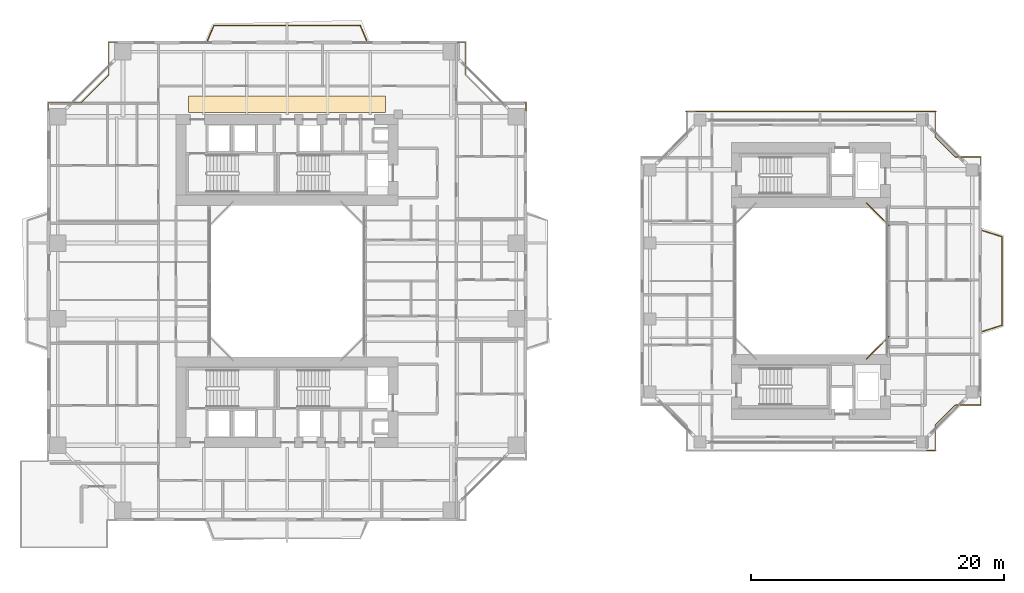
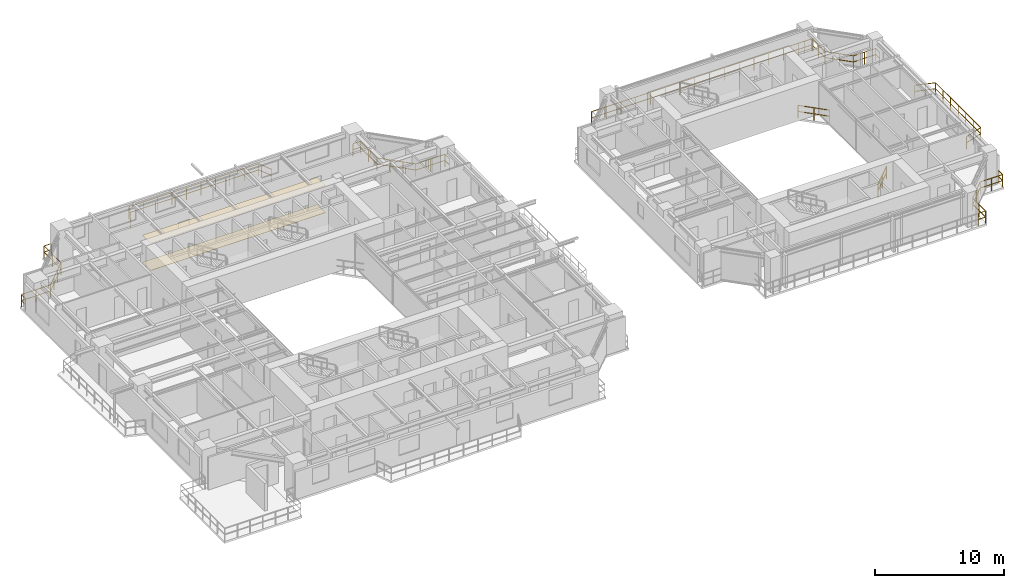
# One storey, part 22 of 22: 9 railings, 2 coverings.
"""IFC4 building model written with IfcOpenShell, lengths in metres."""

from ifc_helpers import new_model, si_unit, direction, frame, origin, origin_2d, place, context, subcontext, project, spatial, polyline, rectangle, outline, extrude, material, layer, layer_set, type_object, element, save


model = new_model("IFC4")

# Units and contexts
model_context = context("Model", 3, precision=1e-05, world=origin(), true_north=direction((0.0, 1.0)))
body_context = subcontext(model_context, "Body", "Model", "MODEL_VIEW")
ifc_project = project(units=[si_unit("LENGTHUNIT", "METRE"), si_unit("AREAUNIT", "SQUARE_METRE"), si_unit("VOLUMEUNIT", "CUBIC_METRE"), si_unit("PLANEANGLEUNIT", "RADIAN"), si_unit("MASSUNIT", "GRAM", prefix="KILO"), si_unit("THERMODYNAMICTEMPERATUREUNIT", "KELVIN"), si_unit("POWERUNIT", "WATT")], contexts=[model_context])

# Site, building, storey
site_placement = place(None, origin())
site = spatial("IfcSite", under=ifc_project, at=site_placement, CompositionType="ELEMENT")
building_placement = place(site_placement, origin())
building = spatial("IfcBuilding", under=site, at=building_placement, Name="Qiaomeng Ring Towers", CompositionType="ELEMENT")
storey_placement = place(building_placement, frame((0.0, 0.0, 53.5)))
storey = spatial("IfcBuildingStorey", under=building, at=storey_placement, Name="L14", CompositionType="ELEMENT", Elevation=53.5)

# Coverings
ifc_material_1 = material(Name="Mineral fibre acoustic ceiling tile", Category="gypsum")
ifc_layer_1 = layer(ifc_material_1, 0.02490234375, Name="Mineral fibre acoustic ceiling tile")
ifc_layer_set_1 = layer_set([ifc_layer_1], Name="Mineral fibre acoustic ceiling tile")
covering_type_1 = type_object("IfcCoveringType", Name="ARC-COV-CEIL1", PredefinedType="CEILING", material=ifc_layer_set_1)
covering_1_placement = place(storey_placement, frame((0.0, 0.0, 2.550048828125)))
element("IfcCovering", 1, at=covering_1_placement, inside=storey, type_object=covering_type_1, Name="L14 Corridor Acoustic Ceiling", PredefinedType="CEILING", context=body_context, shape_type="SweptSolid", body=[
    extrude(outline(polyline([(11.199951171875, 36.35009765625), (11.199951171875, 37.64990234375), (26.800048828125, 37.64990234375), (26.800048828125, 36.35009765625), (11.199951171875, 36.35009765625)])), origin(), (0.0, 0.0, 1.0), 0.02490234375),
])
ifc_material_2 = material(Name="Vitrified porcelain floor tile", Category="ceramic")
ifc_layer_2 = layer(ifc_material_2, 0.02001953125, Name="Vitrified porcelain floor tile")
ifc_layer_set_2 = layer_set([ifc_layer_2], Name="Vitrified porcelain floor tile")
covering_type_2 = type_object("IfcCoveringType", Name="ARC-COV-FLR1", PredefinedType="FLOORING", material=ifc_layer_set_2)
covering_2_placement = place(storey_placement, origin())
element("IfcCovering", 2, at=covering_2_placement, inside=storey, type_object=covering_type_2, Name="L14 Corridor Stone Flooring", PredefinedType="FLOORING", context=body_context, shape_type="SweptSolid", body=[
    extrude(outline(polyline([(11.199951171875, 36.35009765625), (11.199951171875, 37.64990234375), (26.800048828125, 37.64990234375), (26.800048828125, 36.35009765625), (11.199951171875, 36.35009765625)])), origin(), (0.0, 0.0, 1.0), 0.02001953125),
])

# Railings
ifc_material_3 = material(Name="Low-E pale-green laminated safety glass", Category="glass")
railing_type = type_object("IfcRailingType", Name="ARC-RL-BAL1", PredefinedType="BALUSTRADE", material=ifc_material_3)
railing_1_placement = place(storey_placement, frame((37.919921875, 36.469970703125, 0.0)))
element("IfcRailing", 3, at=railing_1_placement, inside=storey, type_object=railing_type, Name="L14 Balustrade ARC-BAL-NOTCH1-L14-NE", PredefinedType="BALUSTRADE", context=body_context, shape_type="SweptSolid", body=[
    extrude(rectangle(XDim=0.048095703125, YDim=0.048095703125, at=origin_2d()), frame((0.0, 0.0, 1.17578125), z_axis=(0.0, 1.0, 0.0), x_axis=(-1.0, 0.0, 0.0)), (0.0, 0.0, 1.0), 0.650146484375),
    extrude(rectangle(XDim=0.048095703125, YDim=0.048095703125, at=origin_2d()), frame((0.0, 0.0, 0.60009765625), z_axis=(0.0, 1.0, 0.0), x_axis=(-1.0, 0.0, 0.0)), (0.0, 0.0, 1.0), 0.650146484375),
    extrude(rectangle(XDim=0.048095703125, YDim=0.048095703125, at=origin_2d()), frame((0.0, 0.650146484375, 1.17578125), z_axis=(-1.0, 0.0, 0.0), x_axis=(0.0, -1.0, 0.0)), (0.0, 0.0, 1.0), 2.599853515625),
    extrude(rectangle(XDim=0.048095703125, YDim=0.048095703125, at=origin_2d()), frame((0.0, 0.650146484375, 0.60009765625), z_axis=(-1.0, 0.0, 0.0), x_axis=(0.0, -1.0, 0.0)), (0.0, 0.0, 1.0), 2.599853515625),
    extrude(rectangle(XDim=0.048095703125, YDim=0.048095703125, at=origin_2d()), frame((-2.599853515625, 0.650146484375, 1.17578125), z_axis=(-0.707106781187, 0.707106781187, 0.0), x_axis=(-0.707106781187, -0.707106781187, 0.0)), (0.0, 0.0, 1.0), 3.111083984375),
    extrude(rectangle(XDim=0.048095703125, YDim=0.048095703125, at=origin_2d()), frame((-2.599853515625, 0.650146484375, 0.60009765625), z_axis=(-0.707106781187, 0.707106781187, 0.0), x_axis=(-0.707106781187, -0.707106781187, 0.0)), (0.0, 0.0, 1.0), 3.111083984375),
    extrude(rectangle(XDim=0.048095703125, YDim=0.048095703125, at=origin_2d()), frame((-4.7998046875, 2.85009765625, 1.17578125), z_axis=(0.0, 1.0, 0.0), x_axis=(-1.0, 0.0, 0.0)), (0.0, 0.0, 1.0), 2.599853515625),
    extrude(rectangle(XDim=0.048095703125, YDim=0.048095703125, at=origin_2d()), frame((-4.7998046875, 2.85009765625, 0.60009765625), z_axis=(0.0, 1.0, 0.0), x_axis=(-1.0, 0.0, 0.0)), (0.0, 0.0, 1.0), 2.599853515625),
    extrude(rectangle(XDim=0.048095703125, YDim=0.048095703125, at=origin_2d()), frame((-4.7998046875, 5.449951171875, 1.17578125), z_axis=(-1.0, 0.0, 0.0), x_axis=(0.0, -1.0, 0.0)), (0.0, 0.0, 1.0), 0.650146484375),
    extrude(rectangle(XDim=0.048095703125, YDim=0.048095703125, at=origin_2d()), frame((-4.7998046875, 5.449951171875, 0.60009765625), z_axis=(-1.0, 0.0, 0.0), x_axis=(0.0, -1.0, 0.0)), (0.0, 0.0, 1.0), 0.650146484375),
    extrude(rectangle(XDim=0.0419921875, YDim=0.0419921875, at=origin_2d()), origin(), (0.0, 0.0, 1.0), 1.15185546875),
    extrude(rectangle(XDim=0.0419921875, YDim=0.0419921875, at=origin_2d()), frame((0.0, 0.650146484375, 0.0)), (0.0, 0.0, 1.0), 1.15185546875),
    extrude(rectangle(XDim=0.0419921875, YDim=0.0419921875, at=origin_2d()), frame((-1.2998046875, 0.650146484375, 0.0)), (0.0, 0.0, 1.0), 1.15185546875),
    extrude(rectangle(XDim=0.0419921875, YDim=0.0419921875, at=origin_2d()), frame((-2.599853515625, 0.650146484375, 0.0)), (0.0, 0.0, 1.0), 1.15185546875),
    extrude(rectangle(XDim=0.0419921875, YDim=0.0419921875, at=origin_2d()), frame((-3.333251953125, 1.383544921875, 0.0)), (0.0, 0.0, 1.0), 1.15185546875),
    extrude(rectangle(XDim=0.0419921875, YDim=0.0419921875, at=origin_2d()), frame((-4.06640625, 2.11669921875, 0.0)), (0.0, 0.0, 1.0), 1.15185546875),
    extrude(rectangle(XDim=0.0419921875, YDim=0.0419921875, at=origin_2d()), frame((-4.7998046875, 2.85009765625, 0.0)), (0.0, 0.0, 1.0), 1.15185546875),
    extrude(rectangle(XDim=0.0419921875, YDim=0.0419921875, at=origin_2d()), frame((-4.7998046875, 4.14990234375, 0.0)), (0.0, 0.0, 1.0), 1.15185546875),
    extrude(rectangle(XDim=0.0419921875, YDim=0.0419921875, at=origin_2d()), frame((-4.7998046875, 5.449951171875, 0.0)), (0.0, 0.0, 1.0), 1.15185546875),
    extrude(rectangle(XDim=0.0419921875, YDim=0.0419921875, at=origin_2d()), frame((-5.449951171875, 5.449951171875, 0.0)), (0.0, 0.0, 1.0), 1.15185546875),
])
railing_2_placement = place(storey_placement, frame((5.530029296875, 41.919921875, 0.0)))
element("IfcRailing", 4, at=railing_2_placement, inside=storey, type_object=railing_type, Name="L14 Balustrade ARC-BAL-NOTCH1-L14-NW", PredefinedType="BALUSTRADE", context=body_context, shape_type="SweptSolid", body=[
    extrude(rectangle(XDim=0.048095703125, YDim=0.048095703125, at=origin_2d()), frame((0.0, 0.0, 1.17578125), z_axis=(-1.0, 0.0, 0.0), x_axis=(0.0, -1.0, 0.0)), (0.0, 0.0, 1.0), 0.650146484375),
    extrude(rectangle(XDim=0.048095703125, YDim=0.048095703125, at=origin_2d()), frame((0.0, 0.0, 0.60009765625), z_axis=(-1.0, 0.0, 0.0), x_axis=(0.0, -1.0, 0.0)), (0.0, 0.0, 1.0), 0.650146484375),
    extrude(rectangle(XDim=0.048095703125, YDim=0.048095703125, at=origin_2d()), frame((-0.650146484375, 0.0, 1.17578125), z_axis=(0.0, -1.0, 0.0), x_axis=(1.0, 0.0, 0.0)), (0.0, 0.0, 1.0), 2.599853515625),
    extrude(rectangle(XDim=0.048095703125, YDim=0.048095703125, at=origin_2d()), frame((-0.650146484375, 0.0, 0.60009765625), z_axis=(0.0, -1.0, 0.0), x_axis=(1.0, 0.0, 0.0)), (0.0, 0.0, 1.0), 2.599853515625),
    extrude(rectangle(XDim=0.048095703125, YDim=0.048095703125, at=origin_2d()), frame((-0.650146484375, -2.599853515625, 1.17578125), z_axis=(-0.707106781187, -0.707106781187, 0.0), x_axis=(0.707106781187, -0.707106781187, 0.0)), (0.0, 0.0, 1.0), 3.111083984375),
    extrude(rectangle(XDim=0.048095703125, YDim=0.048095703125, at=origin_2d()), frame((-0.650146484375, -2.599853515625, 0.60009765625), z_axis=(-0.707106781187, -0.707106781187, 0.0), x_axis=(0.707106781187, -0.707106781187, 0.0)), (0.0, 0.0, 1.0), 3.111083984375),
    extrude(rectangle(XDim=0.048095703125, YDim=0.048095703125, at=origin_2d()), frame((-2.85009765625, -4.7998046875, 1.17578125), z_axis=(-1.0, 0.0, 0.0), x_axis=(0.0, -1.0, 0.0)), (0.0, 0.0, 1.0), 2.599853515625),
    extrude(rectangle(XDim=0.048095703125, YDim=0.048095703125, at=origin_2d()), frame((-2.85009765625, -4.7998046875, 0.60009765625), z_axis=(-1.0, 0.0, 0.0), x_axis=(0.0, -1.0, 0.0)), (0.0, 0.0, 1.0), 2.599853515625),
    extrude(rectangle(XDim=0.048095703125, YDim=0.048095703125, at=origin_2d()), frame((-5.449951171875, -4.7998046875, 1.17578125), z_axis=(0.0, -1.0, 0.0), x_axis=(1.0, 0.0, 0.0)), (0.0, 0.0, 1.0), 0.650146484375),
    extrude(rectangle(XDim=0.048095703125, YDim=0.048095703125, at=origin_2d()), frame((-5.449951171875, -4.7998046875, 0.60009765625), z_axis=(0.0, -1.0, 0.0), x_axis=(1.0, 0.0, 0.0)), (0.0, 0.0, 1.0), 0.650146484375),
    extrude(rectangle(XDim=0.0419921875, YDim=0.0419921875, at=origin_2d()), origin(), (0.0, 0.0, 1.0), 1.15185546875),
    extrude(rectangle(XDim=0.0419921875, YDim=0.0419921875, at=origin_2d()), frame((-0.650146484375, 0.0, 0.0)), (0.0, 0.0, 1.0), 1.15185546875),
    extrude(rectangle(XDim=0.0419921875, YDim=0.0419921875, at=origin_2d()), frame((-0.650146484375, -1.2998046875, 0.0)), (0.0, 0.0, 1.0), 1.15185546875),
    extrude(rectangle(XDim=0.0419921875, YDim=0.0419921875, at=origin_2d()), frame((-0.650146484375, -2.599853515625, 0.0)), (0.0, 0.0, 1.0), 1.15185546875),
    extrude(rectangle(XDim=0.0419921875, YDim=0.0419921875, at=origin_2d()), frame((-1.383544921875, -3.333251953125, 0.0)), (0.0, 0.0, 1.0), 1.15185546875),
    extrude(rectangle(XDim=0.0419921875, YDim=0.0419921875, at=origin_2d()), frame((-2.11669921875, -4.06640625, 0.0)), (0.0, 0.0, 1.0), 1.15185546875),
    extrude(rectangle(XDim=0.0419921875, YDim=0.0419921875, at=origin_2d()), frame((-2.85009765625, -4.7998046875, 0.0)), (0.0, 0.0, 1.0), 1.15185546875),
    extrude(rectangle(XDim=0.0419921875, YDim=0.0419921875, at=origin_2d()), frame((-4.14990234375, -4.7998046875, 0.0)), (0.0, 0.0, 1.0), 1.15185546875),
    extrude(rectangle(XDim=0.0419921875, YDim=0.0419921875, at=origin_2d()), frame((-5.449951171875, -4.7998046875, 0.0)), (0.0, 0.0, 1.0), 1.15185546875),
    extrude(rectangle(XDim=0.0419921875, YDim=0.0419921875, at=origin_2d()), frame((-5.449951171875, -5.449951171875, 0.0)), (0.0, 0.0, 1.0), 1.15185546875),
])
railing_3_placement = place(storey_placement, frame((12.699951171875, 42.050048828125, 0.0)))
element("IfcRailing", 5, at=railing_3_placement, inside=storey, type_object=railing_type, Name="L14 Balustrade ARC-BAL-L14-T1-N", PredefinedType="BALUSTRADE", context=body_context, shape_type="SweptSolid", body=[
    extrude(rectangle(XDim=0.048095703125, YDim=0.048095703125, at=origin_2d()), frame((0.0, 0.0, 1.17578125), z_axis=(0.39299272826, 0.919541579014, 0.0), x_axis=(-0.919541579014, 0.39299272826, 0.0)), (0.0, 0.0, 1.0), 1.272216796875),
    extrude(rectangle(XDim=0.048095703125, YDim=0.048095703125, at=origin_2d()), frame((0.0, 0.0, 0.60009765625), z_axis=(0.39299272826, 0.919541579014, 0.0), x_axis=(-0.919541579014, 0.39299272826, 0.0)), (0.0, 0.0, 1.0), 1.272216796875),
    extrude(rectangle(XDim=0.048095703125, YDim=0.048095703125, at=origin_2d()), frame((0.5, 1.169921875, 1.17578125), z_axis=(1.0, 0.0, 0.0), x_axis=(0.0, 1.0, 0.0)), (0.0, 0.0, 1.0), 11.60009765625),
    extrude(rectangle(XDim=0.048095703125, YDim=0.048095703125, at=origin_2d()), frame((0.5, 1.169921875, 0.60009765625), z_axis=(1.0, 0.0, 0.0), x_axis=(0.0, 1.0, 0.0)), (0.0, 0.0, 1.0), 11.60009765625),
    extrude(rectangle(XDim=0.048095703125, YDim=0.048095703125, at=origin_2d()), frame((12.10009765625, 1.169921875, 1.17578125), z_axis=(0.39299272826, -0.919541579014, 0.0), x_axis=(0.919541579014, 0.39299272826, 0.0)), (0.0, 0.0, 1.0), 1.272216796875),
    extrude(rectangle(XDim=0.048095703125, YDim=0.048095703125, at=origin_2d()), frame((12.10009765625, 1.169921875, 0.60009765625), z_axis=(0.39299272826, -0.919541579014, 0.0), x_axis=(0.919541579014, 0.39299272826, 0.0)), (0.0, 0.0, 1.0), 1.272216796875),
    extrude(rectangle(XDim=0.0419921875, YDim=0.0419921875, at=origin_2d()), origin(), (0.0, 0.0, 1.0), 1.15185546875),
    extrude(rectangle(XDim=0.0419921875, YDim=0.0419921875, at=origin_2d()), frame((0.5, 1.169921875, 0.0)), (0.0, 0.0, 1.0), 1.15185546875),
    extrude(rectangle(XDim=0.0419921875, YDim=0.0419921875, at=origin_2d()), frame((1.788818359375, 1.169921875, 0.0)), (0.0, 0.0, 1.0), 1.15185546875),
    extrude(rectangle(XDim=0.0419921875, YDim=0.0419921875, at=origin_2d()), frame((3.077880859375, 1.169921875, 0.0)), (0.0, 0.0, 1.0), 1.15185546875),
    extrude(rectangle(XDim=0.0419921875, YDim=0.0419921875, at=origin_2d()), frame((4.36669921875, 1.169921875, 0.0)), (0.0, 0.0, 1.0), 1.15185546875),
    extrude(rectangle(XDim=0.0419921875, YDim=0.0419921875, at=origin_2d()), frame((5.655517578125, 1.169921875, 0.0)), (0.0, 0.0, 1.0), 1.15185546875),
    extrude(rectangle(XDim=0.0419921875, YDim=0.0419921875, at=origin_2d()), frame((6.944580078125, 1.169921875, 0.0)), (0.0, 0.0, 1.0), 1.15185546875),
    extrude(rectangle(XDim=0.0419921875, YDim=0.0419921875, at=origin_2d()), frame((8.2333984375, 1.169921875, 0.0)), (0.0, 0.0, 1.0), 1.15185546875),
    extrude(rectangle(XDim=0.0419921875, YDim=0.0419921875, at=origin_2d()), frame((9.522216796875, 1.169921875, 0.0)), (0.0, 0.0, 1.0), 1.15185546875),
    extrude(rectangle(XDim=0.0419921875, YDim=0.0419921875, at=origin_2d()), frame((10.811279296875, 1.169921875, 0.0)), (0.0, 0.0, 1.0), 1.15185546875),
    extrude(rectangle(XDim=0.0419921875, YDim=0.0419921875, at=origin_2d()), frame((12.10009765625, 1.169921875, 0.0)), (0.0, 0.0, 1.0), 1.15185546875),
    extrude(rectangle(XDim=0.0419921875, YDim=0.0419921875, at=origin_2d()), frame((12.60009765625, 0.0, 0.0)), (0.0, 0.0, 1.0), 1.15185546875),
])
railing_4_placement = place(storey_placement, frame((64.8798828125, 16.820068359375, 0.0)))
element("IfcRailing", 6, at=railing_4_placement, inside=storey, type_object=railing_type, Name="L14 Balustrade ARC-BAL-WELL2-L14-1", PredefinedType="BALUSTRADE", context=body_context, shape_type="SweptSolid", body=[
    extrude(rectangle(XDim=0.048095703125, YDim=0.048095703125, at=origin_2d()), frame((0.0, 0.0, 1.17578125), z_axis=(0.707106781187, 0.707106781187, 0.0), x_axis=(-0.707106781187, 0.707106781187, 0.0)), (0.0, 0.0, 1.0), 2.545654296875),
    extrude(rectangle(XDim=0.048095703125, YDim=0.048095703125, at=origin_2d()), frame((0.0, 0.0, 0.60009765625), z_axis=(0.707106781187, 0.707106781187, 0.0), x_axis=(-0.707106781187, 0.707106781187, 0.0)), (0.0, 0.0, 1.0), 2.545654296875),
    extrude(rectangle(XDim=0.0419921875, YDim=0.0419921875, at=origin_2d()), origin(), (0.0, 0.0, 1.0), 1.15185546875),
    extrude(rectangle(XDim=0.0419921875, YDim=0.0419921875, at=origin_2d()), frame((0.89990234375, 0.89990234375, 0.0)), (0.0, 0.0, 1.0), 1.15185546875),
    extrude(rectangle(XDim=0.0419921875, YDim=0.0419921875, at=origin_2d()), frame((1.800048828125, 1.800048828125, 0.0)), (0.0, 0.0, 1.0), 1.15185546875),
])
railing_5_placement = place(storey_placement, frame((66.679931640625, 27.3798828125, 0.0)))
element("IfcRailing", 7, at=railing_5_placement, inside=storey, type_object=railing_type, Name="L14 Balustrade ARC-BAL-WELL2-L14-2", PredefinedType="BALUSTRADE", context=body_context, shape_type="SweptSolid", body=[
    extrude(rectangle(XDim=0.048095703125, YDim=0.048095703125, at=origin_2d()), frame((0.0, 0.0, 1.17578125), z_axis=(-0.707106781187, 0.707106781187, 0.0), x_axis=(-0.707106781187, -0.707106781187, 0.0)), (0.0, 0.0, 1.0), 2.545654296875),
    extrude(rectangle(XDim=0.048095703125, YDim=0.048095703125, at=origin_2d()), frame((0.0, 0.0, 0.60009765625), z_axis=(-0.707106781187, 0.707106781187, 0.0), x_axis=(-0.707106781187, -0.707106781187, 0.0)), (0.0, 0.0, 1.0), 2.545654296875),
    extrude(rectangle(XDim=0.0419921875, YDim=0.0419921875, at=origin_2d()), origin(), (0.0, 0.0, 1.0), 1.15185546875),
    extrude(rectangle(XDim=0.0419921875, YDim=0.0419921875, at=origin_2d()), frame((-0.89990234375, 0.89990234375, 0.0)), (0.0, 0.0, 1.0), 1.15185546875),
    extrude(rectangle(XDim=0.0419921875, YDim=0.0419921875, at=origin_2d()), frame((-1.800048828125, 1.800048828125, 0.0)), (0.0, 0.0, 1.0), 1.15185546875),
])
railing_6_placement = place(storey_placement, frame((69.669921875, 9.580078125, 0.0)))
element("IfcRailing", 8, at=railing_6_placement, inside=storey, type_object=railing_type, Name="L14 Balustrade ARC-BAL-NOTCH2-L14-SE", PredefinedType="BALUSTRADE", context=body_context, shape_type="SweptSolid", body=[
    extrude(rectangle(XDim=0.048095703125, YDim=0.048095703125, at=origin_2d()), frame((0.0, 0.0, 1.17578125), z_axis=(1.0, 0.0, 0.0), x_axis=(0.0, 1.0, 0.0)), (0.0, 0.0, 1.0), 0.650146484375),
    extrude(rectangle(XDim=0.048095703125, YDim=0.048095703125, at=origin_2d()), frame((0.0, 0.0, 0.60009765625), z_axis=(1.0, 0.0, 0.0), x_axis=(0.0, 1.0, 0.0)), (0.0, 0.0, 1.0), 0.650146484375),
    extrude(rectangle(XDim=0.048095703125, YDim=0.048095703125, at=origin_2d()), frame((0.650146484375, 0.0, 1.17578125), z_axis=(0.0, 1.0, 0.0), x_axis=(-1.0, 0.0, 0.0)), (0.0, 0.0, 1.0), 2.0),
    extrude(rectangle(XDim=0.048095703125, YDim=0.048095703125, at=origin_2d()), frame((0.650146484375, 0.0, 0.60009765625), z_axis=(0.0, 1.0, 0.0), x_axis=(-1.0, 0.0, 0.0)), (0.0, 0.0, 1.0), 2.0),
    extrude(rectangle(XDim=0.048095703125, YDim=0.048095703125, at=origin_2d()), frame((0.650146484375, 2.0, 1.17578125), z_axis=(0.707106781187, 0.707106781187, 0.0), x_axis=(-0.707106781187, 0.707106781187, 0.0)), (0.0, 0.0, 1.0), 2.262451171875),
    extrude(rectangle(XDim=0.048095703125, YDim=0.048095703125, at=origin_2d()), frame((0.650146484375, 2.0, 0.60009765625), z_axis=(0.707106781187, 0.707106781187, 0.0), x_axis=(-0.707106781187, 0.707106781187, 0.0)), (0.0, 0.0, 1.0), 2.262451171875),
    extrude(rectangle(XDim=0.048095703125, YDim=0.048095703125, at=origin_2d()), frame((2.25, 3.599853515625, 1.17578125), z_axis=(1.0, 0.0, 0.0), x_axis=(0.0, 1.0, 0.0)), (0.0, 0.0, 1.0), 2.0),
    extrude(rectangle(XDim=0.048095703125, YDim=0.048095703125, at=origin_2d()), frame((2.25, 3.599853515625, 0.60009765625), z_axis=(1.0, 0.0, 0.0), x_axis=(0.0, 1.0, 0.0)), (0.0, 0.0, 1.0), 2.0),
    extrude(rectangle(XDim=0.048095703125, YDim=0.048095703125, at=origin_2d()), frame((4.25, 3.599853515625, 1.17578125), z_axis=(0.0, 1.0, 0.0), x_axis=(-1.0, 0.0, 0.0)), (0.0, 0.0, 1.0), 0.650146484375),
    extrude(rectangle(XDim=0.048095703125, YDim=0.048095703125, at=origin_2d()), frame((4.25, 3.599853515625, 0.60009765625), z_axis=(0.0, 1.0, 0.0), x_axis=(-1.0, 0.0, 0.0)), (0.0, 0.0, 1.0), 0.650146484375),
    extrude(rectangle(XDim=0.0419921875, YDim=0.0419921875, at=origin_2d()), origin(), (0.0, 0.0, 1.0), 1.15185546875),
    extrude(rectangle(XDim=0.0419921875, YDim=0.0419921875, at=origin_2d()), frame((0.650146484375, 0.0, 0.0)), (0.0, 0.0, 1.0), 1.15185546875),
    extrude(rectangle(XDim=0.0419921875, YDim=0.0419921875, at=origin_2d()), frame((0.650146484375, 1.0, 0.0)), (0.0, 0.0, 1.0), 1.15185546875),
    extrude(rectangle(XDim=0.0419921875, YDim=0.0419921875, at=origin_2d()), frame((0.650146484375, 2.0, 0.0)), (0.0, 0.0, 1.0), 1.15185546875),
    extrude(rectangle(XDim=0.0419921875, YDim=0.0419921875, at=origin_2d()), frame((1.4501953125, 2.7998046875, 0.0)), (0.0, 0.0, 1.0), 1.15185546875),
    extrude(rectangle(XDim=0.0419921875, YDim=0.0419921875, at=origin_2d()), frame((2.25, 3.599853515625, 0.0)), (0.0, 0.0, 1.0), 1.15185546875),
    extrude(rectangle(XDim=0.0419921875, YDim=0.0419921875, at=origin_2d()), frame((3.25, 3.599853515625, 0.0)), (0.0, 0.0, 1.0), 1.15185546875),
    extrude(rectangle(XDim=0.0419921875, YDim=0.0419921875, at=origin_2d()), frame((4.25, 3.599853515625, 0.0)), (0.0, 0.0, 1.0), 1.15185546875),
    extrude(rectangle(XDim=0.0419921875, YDim=0.0419921875, at=origin_2d()), frame((4.25, 4.25, 0.0)), (0.0, 0.0, 1.0), 1.15185546875),
])
railing_7_placement = place(storey_placement, frame((73.919921875, 32.169921875, 0.0)))
element("IfcRailing", 9, at=railing_7_placement, inside=storey, type_object=railing_type, Name="L14 Balustrade ARC-BAL-NOTCH2-L14-NE", PredefinedType="BALUSTRADE", context=body_context, shape_type="SweptSolid", body=[
    extrude(rectangle(XDim=0.048095703125, YDim=0.048095703125, at=origin_2d()), frame((0.0, 0.0, 1.17578125), z_axis=(0.0, 1.0, 0.0), x_axis=(-1.0, 0.0, 0.0)), (0.0, 0.0, 1.0), 0.650146484375),
    extrude(rectangle(XDim=0.048095703125, YDim=0.048095703125, at=origin_2d()), frame((0.0, 0.0, 0.60009765625), z_axis=(0.0, 1.0, 0.0), x_axis=(-1.0, 0.0, 0.0)), (0.0, 0.0, 1.0), 0.650146484375),
    extrude(rectangle(XDim=0.048095703125, YDim=0.048095703125, at=origin_2d()), frame((0.0, 0.650146484375, 1.17578125), z_axis=(-1.0, 0.0, 0.0), x_axis=(0.0, -1.0, 0.0)), (0.0, 0.0, 1.0), 2.0),
    extrude(rectangle(XDim=0.048095703125, YDim=0.048095703125, at=origin_2d()), frame((0.0, 0.650146484375, 0.60009765625), z_axis=(-1.0, 0.0, 0.0), x_axis=(0.0, -1.0, 0.0)), (0.0, 0.0, 1.0), 2.0),
    extrude(rectangle(XDim=0.048095703125, YDim=0.048095703125, at=origin_2d()), frame((-2.0, 0.650146484375, 1.17578125), z_axis=(-0.707106781187, 0.707106781187, 0.0), x_axis=(-0.707106781187, -0.707106781187, 0.0)), (0.0, 0.0, 1.0), 2.262451171875),
    extrude(rectangle(XDim=0.048095703125, YDim=0.048095703125, at=origin_2d()), frame((-2.0, 0.650146484375, 0.60009765625), z_axis=(-0.707106781187, 0.707106781187, 0.0), x_axis=(-0.707106781187, -0.707106781187, 0.0)), (0.0, 0.0, 1.0), 2.262451171875),
    extrude(rectangle(XDim=0.048095703125, YDim=0.048095703125, at=origin_2d()), frame((-3.599853515625, 2.25, 1.17578125), z_axis=(0.0, 1.0, 0.0), x_axis=(-1.0, 0.0, 0.0)), (0.0, 0.0, 1.0), 2.0),
    extrude(rectangle(XDim=0.048095703125, YDim=0.048095703125, at=origin_2d()), frame((-3.599853515625, 2.25, 0.60009765625), z_axis=(0.0, 1.0, 0.0), x_axis=(-1.0, 0.0, 0.0)), (0.0, 0.0, 1.0), 2.0),
    extrude(rectangle(XDim=0.048095703125, YDim=0.048095703125, at=origin_2d()), frame((-3.599853515625, 4.25, 1.17578125), z_axis=(-1.0, 0.0, 0.0), x_axis=(0.0, -1.0, 0.0)), (0.0, 0.0, 1.0), 0.650146484375),
    extrude(rectangle(XDim=0.048095703125, YDim=0.048095703125, at=origin_2d()), frame((-3.599853515625, 4.25, 0.60009765625), z_axis=(-1.0, 0.0, 0.0), x_axis=(0.0, -1.0, 0.0)), (0.0, 0.0, 1.0), 0.650146484375),
    extrude(rectangle(XDim=0.0419921875, YDim=0.0419921875, at=origin_2d()), origin(), (0.0, 0.0, 1.0), 1.15185546875),
    extrude(rectangle(XDim=0.0419921875, YDim=0.0419921875, at=origin_2d()), frame((0.0, 0.650146484375, 0.0)), (0.0, 0.0, 1.0), 1.15185546875),
    extrude(rectangle(XDim=0.0419921875, YDim=0.0419921875, at=origin_2d()), frame((-1.0, 0.650146484375, 0.0)), (0.0, 0.0, 1.0), 1.15185546875),
    extrude(rectangle(XDim=0.0419921875, YDim=0.0419921875, at=origin_2d()), frame((-2.0, 0.650146484375, 0.0)), (0.0, 0.0, 1.0), 1.15185546875),
    extrude(rectangle(XDim=0.0419921875, YDim=0.0419921875, at=origin_2d()), frame((-2.7998046875, 1.4501953125, 0.0)), (0.0, 0.0, 1.0), 1.15185546875),
    extrude(rectangle(XDim=0.0419921875, YDim=0.0419921875, at=origin_2d()), frame((-3.599853515625, 2.25, 0.0)), (0.0, 0.0, 1.0), 1.15185546875),
    extrude(rectangle(XDim=0.0419921875, YDim=0.0419921875, at=origin_2d()), frame((-3.599853515625, 3.25, 0.0)), (0.0, 0.0, 1.0), 1.15185546875),
    extrude(rectangle(XDim=0.0419921875, YDim=0.0419921875, at=origin_2d()), frame((-3.599853515625, 4.25, 0.0)), (0.0, 0.0, 1.0), 1.15185546875),
    extrude(rectangle(XDim=0.0419921875, YDim=0.0419921875, at=origin_2d()), frame((-4.25, 4.25, 0.0)), (0.0, 0.0, 1.0), 1.15185546875),
])
railing_8_placement = place(storey_placement, frame((50.60009765625, 36.419921875, 0.0)))
element("IfcRailing", 10, at=railing_8_placement, inside=storey, type_object=railing_type, Name="L14 Balustrade ARC-BAL-T2N-L14", PredefinedType="BALUSTRADE", context=body_context, shape_type="SweptSolid", body=[
    extrude(rectangle(XDim=0.048095703125, YDim=0.048095703125, at=origin_2d()), frame((0.0, 0.0, 1.17578125), z_axis=(1.0, 0.0, 0.0), x_axis=(0.0, 1.0, 0.0)), (0.0, 0.0, 1.0), 19.7998046875),
    extrude(rectangle(XDim=0.048095703125, YDim=0.048095703125, at=origin_2d()), frame((0.0, 0.0, 0.60009765625), z_axis=(1.0, 0.0, 0.0), x_axis=(0.0, 1.0, 0.0)), (0.0, 0.0, 1.0), 19.7998046875),
    extrude(rectangle(XDim=0.0419921875, YDim=0.0419921875, at=origin_2d()), origin(), (0.0, 0.0, 1.0), 1.15185546875),
    extrude(rectangle(XDim=0.0419921875, YDim=0.0419921875, at=origin_2d()), frame((1.320068359375, 0.0, 0.0)), (0.0, 0.0, 1.0), 1.15185546875),
    extrude(rectangle(XDim=0.0419921875, YDim=0.0419921875, at=origin_2d()), frame((2.639892578125, 0.0, 0.0)), (0.0, 0.0, 1.0), 1.15185546875),
    extrude(rectangle(XDim=0.0419921875, YDim=0.0419921875, at=origin_2d()), frame((3.9599609375, 0.0, 0.0)), (0.0, 0.0, 1.0), 1.15185546875),
    extrude(rectangle(XDim=0.0419921875, YDim=0.0419921875, at=origin_2d()), frame((5.280029296875, 0.0, 0.0)), (0.0, 0.0, 1.0), 1.15185546875),
    extrude(rectangle(XDim=0.0419921875, YDim=0.0419921875, at=origin_2d()), frame((6.599853515625, 0.0, 0.0)), (0.0, 0.0, 1.0), 1.15185546875),
    extrude(rectangle(XDim=0.0419921875, YDim=0.0419921875, at=origin_2d()), frame((7.919921875, 0.0, 0.0)), (0.0, 0.0, 1.0), 1.15185546875),
    extrude(rectangle(XDim=0.0419921875, YDim=0.0419921875, at=origin_2d()), frame((9.239990234375, 0.0, 0.0)), (0.0, 0.0, 1.0), 1.15185546875),
    extrude(rectangle(XDim=0.0419921875, YDim=0.0419921875, at=origin_2d()), frame((10.559814453125, 0.0, 0.0)), (0.0, 0.0, 1.0), 1.15185546875),
    extrude(rectangle(XDim=0.0419921875, YDim=0.0419921875, at=origin_2d()), frame((11.8798828125, 0.0, 0.0)), (0.0, 0.0, 1.0), 1.15185546875),
    extrude(rectangle(XDim=0.0419921875, YDim=0.0419921875, at=origin_2d()), frame((13.199951171875, 0.0, 0.0)), (0.0, 0.0, 1.0), 1.15185546875),
    extrude(rectangle(XDim=0.0419921875, YDim=0.0419921875, at=origin_2d()), frame((14.519775390625, 0.0, 0.0)), (0.0, 0.0, 1.0), 1.15185546875),
    extrude(rectangle(XDim=0.0419921875, YDim=0.0419921875, at=origin_2d()), frame((15.83984375, 0.0, 0.0)), (0.0, 0.0, 1.0), 1.15185546875),
    extrude(rectangle(XDim=0.0419921875, YDim=0.0419921875, at=origin_2d()), frame((17.159912109375, 0.0, 0.0)), (0.0, 0.0, 1.0), 1.15185546875),
    extrude(rectangle(XDim=0.0419921875, YDim=0.0419921875, at=origin_2d()), frame((18.479736328125, 0.0, 0.0)), (0.0, 0.0, 1.0), 1.15185546875),
    extrude(rectangle(XDim=0.0419921875, YDim=0.0419921875, at=origin_2d()), frame((19.7998046875, 0.0, 0.0)), (0.0, 0.0, 1.0), 1.15185546875),
])
railing_9_placement = place(storey_placement, frame((74.050048828125, 19.0, 0.0)))
element("IfcRailing", 11, at=railing_9_placement, inside=storey, type_object=railing_type, Name="L14 Balustrade ARC-BAL-L14-T2-E", PredefinedType="BALUSTRADE", context=body_context, shape_type="SweptSolid", body=[
    extrude(rectangle(XDim=0.048095703125, YDim=0.048095703125, at=origin_2d()), frame((0.0, 0.0, 1.17578125), z_axis=(0.952849860715, 0.303442157479, 0.0), x_axis=(-0.303442157479, 0.952849860715, 0.0)), (0.0, 0.0, 1.0), 1.647705078125),
    extrude(rectangle(XDim=0.048095703125, YDim=0.048095703125, at=origin_2d()), frame((0.0, 0.0, 0.60009765625), z_axis=(0.952849860715, 0.303442157479, 0.0), x_axis=(-0.303442157479, 0.952849860715, 0.0)), (0.0, 0.0, 1.0), 1.647705078125),
    extrude(rectangle(XDim=0.048095703125, YDim=0.048095703125, at=origin_2d()), frame((1.570068359375, 0.5, 1.17578125), z_axis=(0.0, 1.0, 0.0), x_axis=(-1.0, 0.0, 0.0)), (0.0, 0.0, 1.0), 7.0),
    extrude(rectangle(XDim=0.048095703125, YDim=0.048095703125, at=origin_2d()), frame((1.570068359375, 0.5, 0.60009765625), z_axis=(0.0, 1.0, 0.0), x_axis=(-1.0, 0.0, 0.0)), (0.0, 0.0, 1.0), 7.0),
    extrude(rectangle(XDim=0.048095703125, YDim=0.048095703125, at=origin_2d()), frame((1.570068359375, 7.5, 1.17578125), z_axis=(-0.952849860715, 0.303442157479, 0.0), x_axis=(-0.303442157479, -0.952849860715, 0.0)), (0.0, 0.0, 1.0), 1.647705078125),
    extrude(rectangle(XDim=0.048095703125, YDim=0.048095703125, at=origin_2d()), frame((1.570068359375, 7.5, 0.60009765625), z_axis=(-0.952849860715, 0.303442157479, 0.0), x_axis=(-0.303442157479, -0.952849860715, 0.0)), (0.0, 0.0, 1.0), 1.647705078125),
    extrude(rectangle(XDim=0.0419921875, YDim=0.0419921875, at=origin_2d()), origin(), (0.0, 0.0, 1.0), 1.15185546875),
    extrude(rectangle(XDim=0.0419921875, YDim=0.0419921875, at=origin_2d()), frame((0.78515625, 0.25, 0.0)), (0.0, 0.0, 1.0), 1.15185546875),
    extrude(rectangle(XDim=0.0419921875, YDim=0.0419921875, at=origin_2d()), frame((1.570068359375, 0.5, 0.0)), (0.0, 0.0, 1.0), 1.15185546875),
    extrude(rectangle(XDim=0.0419921875, YDim=0.0419921875, at=origin_2d()), frame((1.570068359375, 1.666748046875, 0.0)), (0.0, 0.0, 1.0), 1.15185546875),
    extrude(rectangle(XDim=0.0419921875, YDim=0.0419921875, at=origin_2d()), frame((1.570068359375, 2.833251953125, 0.0)), (0.0, 0.0, 1.0), 1.15185546875),
    extrude(rectangle(XDim=0.0419921875, YDim=0.0419921875, at=origin_2d()), frame((1.570068359375, 4.0, 0.0)), (0.0, 0.0, 1.0), 1.15185546875),
    extrude(rectangle(XDim=0.0419921875, YDim=0.0419921875, at=origin_2d()), frame((1.570068359375, 5.166748046875, 0.0)), (0.0, 0.0, 1.0), 1.15185546875),
    extrude(rectangle(XDim=0.0419921875, YDim=0.0419921875, at=origin_2d()), frame((1.570068359375, 6.333251953125, 0.0)), (0.0, 0.0, 1.0), 1.15185546875),
    extrude(rectangle(XDim=0.0419921875, YDim=0.0419921875, at=origin_2d()), frame((1.570068359375, 7.5, 0.0)), (0.0, 0.0, 1.0), 1.15185546875),
    extrude(rectangle(XDim=0.0419921875, YDim=0.0419921875, at=origin_2d()), frame((0.78515625, 7.75, 0.0)), (0.0, 0.0, 1.0), 1.15185546875),
    extrude(rectangle(XDim=0.0419921875, YDim=0.0419921875, at=origin_2d()), frame((0.0, 8.0, 0.0)), (0.0, 0.0, 1.0), 1.15185546875),
])

save(model, "model.ifc")
